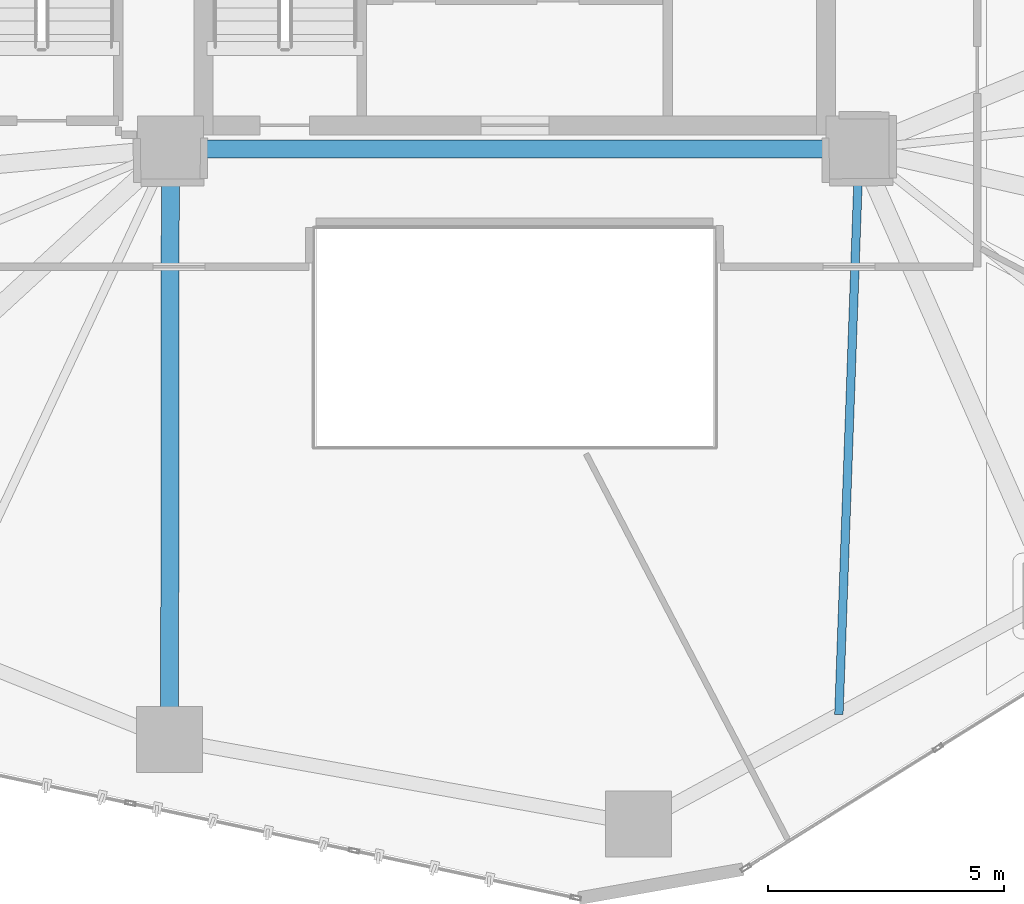
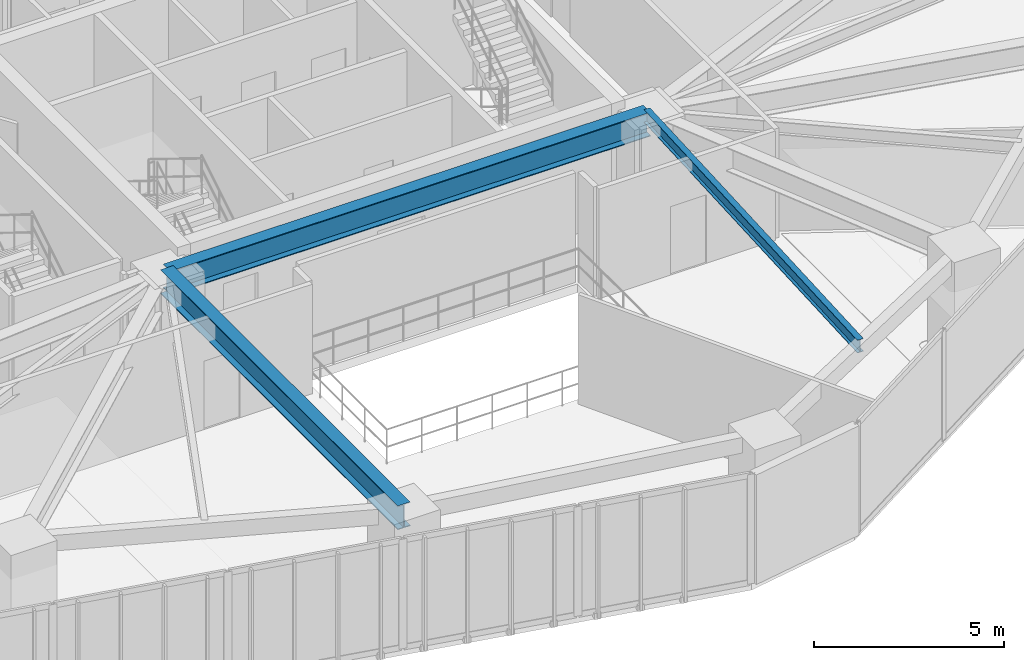
# One storey, part 5 of 22: 3 beams.
"""IFC4 building model written with IfcOpenShell, lengths in metres."""

import ifcopenshell
import ifcopenshell.guid

model = None  # the IFC model being written
_history = None  # IfcOwnerHistory: only IFC2X3 demands one
_inside = {}  # id of a spatial element -> (the spatial element, [elements in it])
_under = {}  # id of a project, library or spatial element -> (it, [spatial elements below it])
_declared = {}  # id of a project -> (the project, [libraries it declares])
_typed = {}  # id of a type object -> (the type object, [elements of that type])
_made_of = {}  # id of a material, layer set ... -> (it, [elements and type objects made of it])


def new_model(schema):
    """Start an empty IFC model of exactly this schema.

    Asked for "IFC4X3", IfcOpenShell would pick the latest addendum, in which some entities
    have other attributes; the version numbers below select the first issue.
    IFC2X3 requires an IfcOwnerHistory on every rooted entity: one is made here for all.
    """
    global model, _history
    if schema == "IFC4X3":
        model = ifcopenshell.file(schema_version=(4, 3, 0, 0))
    else:
        model = ifcopenshell.file(schema=schema)
    _inside.clear()
    _under.clear()
    _declared.clear()
    _typed.clear()
    _made_of.clear()
    _history = None
    if model.schema == "IFC2X3":
        org = make("IfcOrganization", Name="unknown")
        user = make(
            "IfcPersonAndOrganization",
            ThePerson=make("IfcPerson", FamilyName="unknown"),
            TheOrganization=org,
        )
        app = make(
            "IfcApplication",
            ApplicationDeveloper=org,
            Version="unknown",
            ApplicationFullName="unknown",
            ApplicationIdentifier="unknown",
        )
        _history = make(
            "IfcOwnerHistory",
            OwningUser=user,
            OwningApplication=app,
            ChangeAction="ADDED",
            CreationDate=0,
        )
    return model


def make(cls, **values):
    """One entity of the class cls with the attributes given. An attribute that is None is left unset."""
    return model.create_entity(
        cls, **{name: value for name, value in values.items() if value is not None}
    )


def rooted(cls, **values):
    """An entity with a GlobalId (a new one), such as an element, a storey or a relation."""
    return make(cls, GlobalId=ifcopenshell.guid.new(), OwnerHistory=_history, **values)


def si_unit(unit_type, name, prefix=None):
    """IfcSIUnit, for example si_unit("LENGTHUNIT", "METRE", prefix="MILLI")."""
    return make("IfcSIUnit", UnitType=unit_type, Prefix=prefix, Name=name)


def assignment(units):
    """IfcUnitAssignment: the units of a project."""
    return None if units is None else make("IfcUnitAssignment", Units=units)


def point(xyz):
    """IfcCartesianPoint."""
    return None if xyz is None else make("IfcCartesianPoint", Coordinates=xyz)


def direction(xyz):
    """IfcDirection."""
    return None if xyz is None else make("IfcDirection", DirectionRatios=xyz)


def frame(location, z_axis=None, x_axis=None):
    """IfcAxis2Placement3D, a coordinate frame: its origin and axes. An axis left out is left unset."""
    return make(
        "IfcAxis2Placement3D",
        Location=point(location),
        Axis=direction(z_axis),
        RefDirection=direction(x_axis),
    )


def frame_2d(location, x_axis=None):
    """IfcAxis2Placement2D, a coordinate frame in the plane: its origin and x axis."""
    return make(
        "IfcAxis2Placement2D", Location=point(location), RefDirection=direction(x_axis)
    )


def origin():
    """The frame at (0, 0, 0) with its axes left unset."""
    return frame((0.0, 0.0, 0.0))


def origin_2d():
    """The frame at (0, 0) in the plane with its x axis left unset."""
    return frame_2d((0.0, 0.0))


def place(relative_to, where):
    """IfcLocalPlacement: puts the frame where relative to a parent placement (None: the world)."""
    return make(
        "IfcLocalPlacement", PlacementRelTo=relative_to, RelativePlacement=where
    )


def context(
    kind, dimensions, precision=None, world=None, true_north=None, identifier=None
):
    """IfcGeometricRepresentationContext, for example the 3D "Model" context."""
    return make(
        "IfcGeometricRepresentationContext",
        ContextIdentifier=identifier,
        ContextType=kind,
        CoordinateSpaceDimension=dimensions,
        Precision=precision,
        WorldCoordinateSystem=world,
        TrueNorth=true_north,
    )


def subcontext(parent, identifier, kind, view, scale=None):
    """IfcGeometricRepresentationSubContext, for example "Body" below "Model"."""
    return make(
        "IfcGeometricRepresentationSubContext",
        ContextIdentifier=identifier,
        ContextType=kind,
        ParentContext=parent,
        TargetScale=scale,
        TargetView=view,
    )


def project(units=None, contexts=None):
    """IfcProject with its units and contexts."""
    return rooted(
        "IfcProject",
        Name="project",
        RepresentationContexts=contexts,
        UnitsInContext=assignment(units),
    )


def spatial(cls, under=None, at=None, **own):
    """A site, building, storey or space (cls), placed at a placement, below another one or the project."""
    s = rooted(cls, ObjectPlacement=at, **own)
    if under is not None:
        _under.setdefault(under.id(), (under, []))[1].append(s)
    return s


def profile(cls, at=None, kind="AREA", **sizes):
    """A parametric profile (cls). Its sizes go by their IFC names, for example OverallWidth=200.0."""
    return make(cls, ProfileType=kind, Position=at, **sizes)


def i_section(**sizes):
    """IfcIShapeProfileDef."""
    return profile("IfcIShapeProfileDef", **sizes)


def extrude(swept, where, along, depth):
    """IfcExtrudedAreaSolid: the profile swept, set in the frame where, extruded along a direction by depth."""
    return make(
        "IfcExtrudedAreaSolid",
        SweptArea=swept,
        Position=where,
        ExtrudedDirection=direction(along),
        Depth=depth,
    )


def shape(context_of_items, identifier, shape_type, items):
    """IfcShapeRepresentation: the items that make up one representation, for example the "Body"."""
    return make(
        "IfcShapeRepresentation",
        ContextOfItems=context_of_items,
        RepresentationIdentifier=identifier,
        RepresentationType=shape_type,
        Items=items,
    )


def material(Name=None, Category=None):
    """IfcMaterial."""
    return make("IfcMaterial", Name=Name, Category=Category)


def material_profile(
    of_material, cross_section, Name=None, Category=None, Priority=None
):
    """IfcMaterialProfile: a cross section and its material."""
    return make(
        "IfcMaterialProfile",
        Name=Name,
        Material=of_material,
        Profile=cross_section,
        Priority=Priority,
        Category=Category,
    )


def profile_set(profiles, Name=None, composite=None):
    """IfcMaterialProfileSet."""
    return make(
        "IfcMaterialProfileSet",
        Name=Name,
        MaterialProfiles=profiles,
        CompositeProfile=composite,
    )


def made_of(thing, what):
    """Note that an element or type object is made of a material, layer set ...; save() writes the relation."""
    if what is not None:
        _made_of.setdefault(what.id(), (what, []))[1].append(thing)
    return thing


def type_object(cls, material=None, **own):
    """A type object (cls), such as IfcWallType, which elements share."""
    return made_of(rooted(cls, **own), material)


def element(
    cls,
    number,
    at=None,
    inside=None,
    cuts=None,
    type_object=None,
    material=None,
    context=None,
    identifier="Body",
    shape_type=None,
    held_by="IfcProductDefinitionShape",
    body=None,
    shapes=None,
    **own,
):
    """One element of the class cls, such as IfcWall. Its Tag is "e" and its number.

    at: its placement. inside: the storey or other place that contains it. cuts: it is an
    opening in that element (IfcRelVoidsElement). A single representation is given by context,
    identifier, shape_type and body (its items); several are given by shapes. held_by: the class
    of the entity that holds the representations. save() writes the other relations.
    """
    e = rooted(cls, Tag="e%d" % number, ObjectPlacement=at, **own)
    if body is not None:
        shapes = [shape(context, identifier, shape_type, body)]
    if shapes is not None:
        e.Representation = make(held_by, Representations=shapes)
    if inside is not None:
        _inside.setdefault(inside.id(), (inside, []))[1].append(e)
    if cuts is not None:
        rooted(
            "IfcRelVoidsElement", RelatingBuildingElement=cuts, RelatedOpeningElement=e
        )
    if type_object is not None:
        _typed.setdefault(type_object.id(), (type_object, []))[1].append(e)
    return made_of(e, material)


def aggregate(whole, parts):
    """IfcRelAggregates: a whole, such as a stair, and the parts it consists of."""
    return rooted("IfcRelAggregates", RelatingObject=whole, RelatedObjects=parts)


def save(model, path):
    """Write the relations noted so far, then the file.

    IfcRelAggregates (storeys below a building ...), IfcRelContainedInSpatialStructure (elements
    in a storey), IfcRelDefinesByType, IfcRelAssociatesMaterial and IfcRelDeclares: one each for
    every whole, place, type object, material and project.
    """
    for whole, parts in _under.values():
        aggregate(whole, parts)
    for where, things in _inside.values():
        rooted(
            "IfcRelContainedInSpatialStructure",
            RelatedElements=things,
            RelatingStructure=where,
        )
    for kind, things in _typed.values():
        rooted("IfcRelDefinesByType", RelatedObjects=things, RelatingType=kind)
    for what, things in _made_of.values():
        rooted("IfcRelAssociatesMaterial", RelatedObjects=things, RelatingMaterial=what)
    for by, libraries in _declared.values():
        rooted("IfcRelDeclares", RelatingContext=by, RelatedDefinitions=libraries)
    model.write(path)


model = new_model("IFC4")

# Units and contexts
model_context = context("Model", 3, precision=1e-05, world=origin(), true_north=direction((0.0, 1.0)))
body_context = subcontext(model_context, "Body", "Model", "MODEL_VIEW")
ifc_project = project(units=[si_unit("LENGTHUNIT", "METRE"), si_unit("AREAUNIT", "SQUARE_METRE"), si_unit("VOLUMEUNIT", "CUBIC_METRE"), si_unit("PLANEANGLEUNIT", "RADIAN"), si_unit("MASSUNIT", "GRAM", prefix="KILO")], contexts=[model_context])

# Site, building, storey
site_placement = place(None, origin())
site = spatial("IfcSite", under=ifc_project, at=site_placement, CompositionType="ELEMENT")
building_placement = place(site_placement, origin())
building = spatial("IfcBuilding", under=site, at=building_placement, Name="Talar Marvaseh", CompositionType="ELEMENT")
storey_placement = place(building_placement, frame((0.0, 0.0, 54.39990234375)))
storey = spatial("IfcBuildingStorey", under=building, at=storey_placement, Name="L13", CompositionType="ELEMENT", Elevation=54.39990234375)

# Beams
ifc_material = material(Name="Steel S355", Category="steel")
ifc_material_profile_1 = material_profile(ifc_material, i_section(OverallWidth=0.381103515625, OverallDepth=0.77294921875, WebThickness=0.0166015625, FlangeThickness=0.027099609375, at=origin_2d()), Name="W760x257")
ifc_profile_set_1 = profile_set([ifc_material_profile_1], Name="Steel S355")
beam_type_1 = type_object("IfcBeamType", Name="Zone 1 Radial Floor Girder W760x257", PredefinedType="BEAM", material=ifc_profile_set_1)
beam_1_placement = place(storey_placement, frame((18.699951171875, 25.5, 3.133544921875), z_axis=(1.0, 0.0, 0.0), x_axis=(0.0, 1.0, 0.0)))
element("IfcBeam", 1, at=beam_1_placement, inside=storey, type_object=beam_type_1, Name="L13 Zone 1 Radial Floor Girder W760x257", PredefinedType="BEAM", context=body_context, shape_type="SweptSolid", body=[
    extrude(i_section(OverallWidth=0.381103515625, OverallDepth=0.77294921875, WebThickness=0.0166015625, FlangeThickness=0.027099609375, at=origin_2d()), origin(), (0.0, 0.0, 1.0), 14.60009765625),
])
beam_2_placement = place(storey_placement, frame((18.68310546875, 12.97900390625, 3.133544921875), z_axis=(0.001345395187, 0.999999094955, 0.0), x_axis=(-0.999999094955, 0.001345395187, 0.0)))
element("IfcBeam", 2, at=beam_2_placement, inside=storey, type_object=beam_type_1, Name="L13 Zone 1 Radial Floor Girder W760x257", PredefinedType="BEAM", context=body_context, shape_type="SweptSolid", body=[
    extrude(i_section(OverallWidth=0.381103515625, OverallDepth=0.77294921875, WebThickness=0.0166015625, FlangeThickness=0.027099609375, at=origin_2d()), origin(), (0.0, 0.0, 1.0), 12.52099609375),
])
ifc_material_profile_2 = material_profile(ifc_material, i_section(OverallWidth=0.179931640625, OverallDepth=0.4130859375, WebThickness=0.009765625, FlangeThickness=0.01611328125, at=origin_2d()), Name="W410x75")
ifc_profile_set_2 = profile_set([ifc_material_profile_2], Name="Steel S355")
beam_type_2 = type_object("IfcBeamType", Name="Zone 1 Secondary Floor Joist W410x75", PredefinedType="JOIST", material=ifc_profile_set_2)
beam_3_placement = place(storey_placement, frame((32.86962890625, 13.511474609375, 3.3134765625), z_axis=(0.035879540639, 0.999356121992, 0.0), x_axis=(-0.999356121992, 0.035879540639, 0.0)))
element("IfcBeam", 3, at=beam_3_placement, inside=storey, type_object=beam_type_2, Name="L13 Zone 1 Secondary Floor Joist W410x75", PredefinedType="JOIST", context=body_context, shape_type="SweptSolid", body=[
    extrude(i_section(OverallWidth=0.179931640625, OverallDepth=0.4130859375, WebThickness=0.009765625, FlangeThickness=0.01611328125, at=origin_2d()), origin(), (0.0, 0.0, 1.0), 11.996337890625),
])

save(model, "model.ifc")
